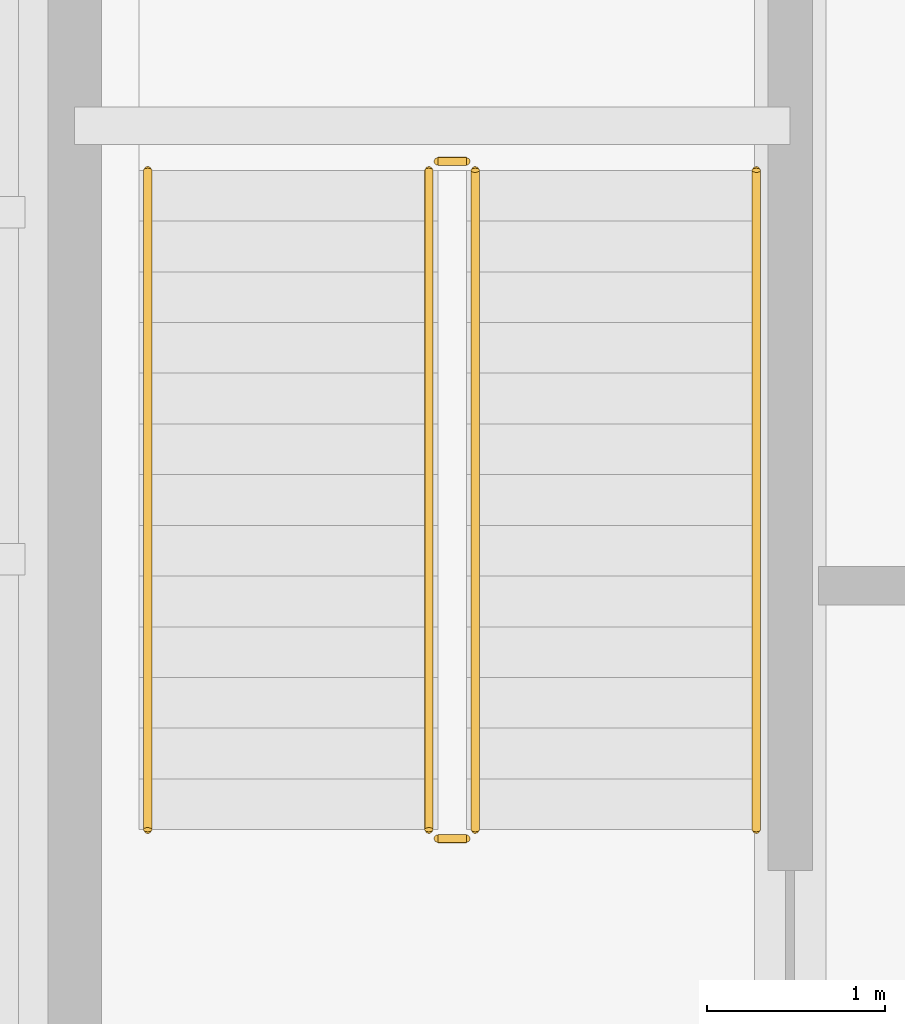
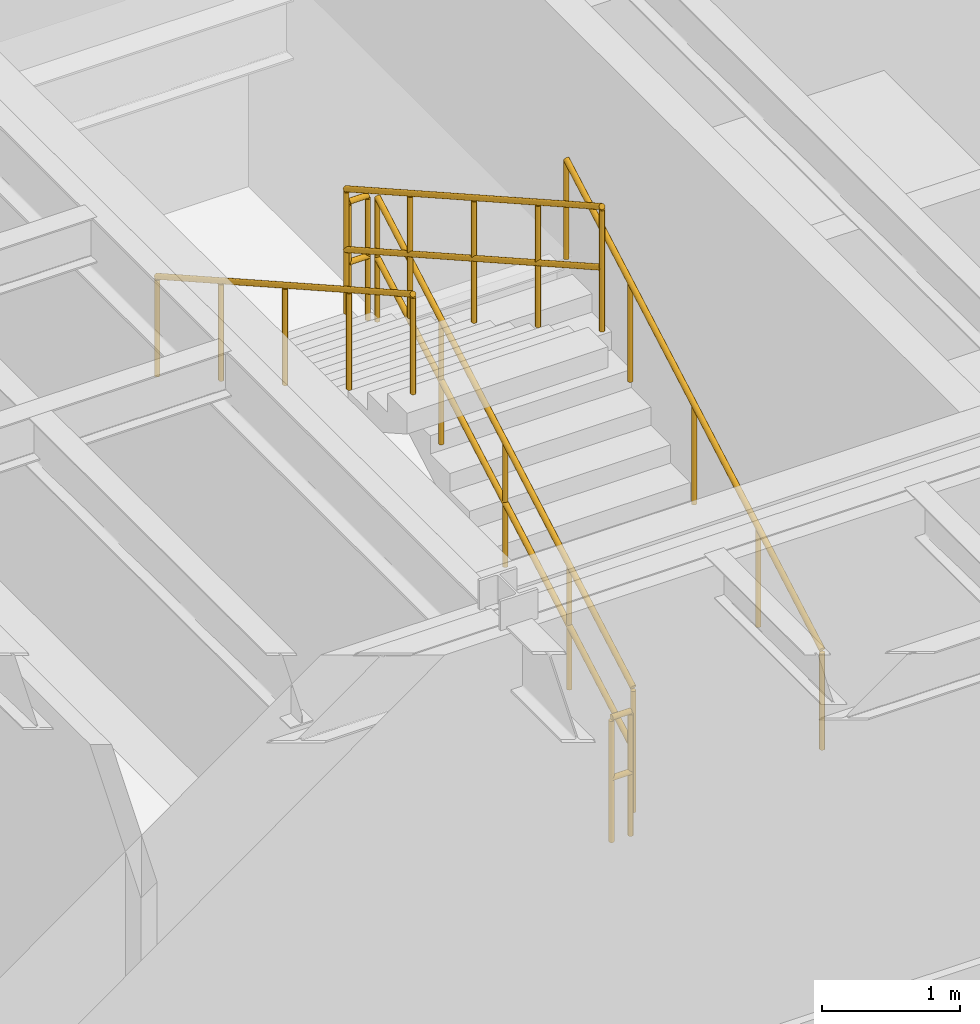
# One storey, part 39 of 41: 6 railings.
"""IFC4 building model written with IfcOpenShell, lengths in metres."""

from ifc_helpers import new_model, si_unit, direction, frame, origin, origin_2d, place, context, subcontext, project, spatial, circle, extrude, material, layer, layer_set, type_object, element, save


model = new_model("IFC4")

# Units and contexts
model_context = context("Model", 3, precision=1e-05, world=origin(), true_north=direction((0.0, 1.0)))
body_context = subcontext(model_context, "Body", "Model", "MODEL_VIEW")
ifc_project = project(units=[si_unit("LENGTHUNIT", "METRE"), si_unit("AREAUNIT", "SQUARE_METRE"), si_unit("VOLUMEUNIT", "CUBIC_METRE"), si_unit("PLANEANGLEUNIT", "RADIAN"), si_unit("MASSUNIT", "GRAM", prefix="KILO")], contexts=[model_context])

# Site, building, storey
site_placement = place(None, origin())
site = spatial("IfcSite", under=ifc_project, at=site_placement, CompositionType="ELEMENT")
building_placement = place(site_placement, origin())
building = spatial("IfcBuilding", under=site, at=building_placement, Name="Selat Folded Stagehouse", CompositionType="ELEMENT")
storey_placement = place(building_placement, frame((0.0, 0.0, -4.5)))
storey = spatial("IfcBuildingStorey", under=building, at=storey_placement, Name="B1", CompositionType="ELEMENT", Elevation=-4.5)

# Railings
ifc_material_1 = material(Name="Bronze-anodised steel balustrade", Category="steel")
ifc_layer_1 = layer(ifc_material_1, 0.06494140625)
ifc_layer_set_1 = layer_set([ifc_layer_1], Name="Bronze-anodised steel balustrade")
railing_type_1 = type_object("IfcRailingType", Name="RLG-BAL-1120", PredefinedType="BALUSTRADE", material=ifc_layer_set_1)
railing_1_placement = place(storey_placement, frame((78.050048828125, 8.22998046875, 0.16064453125)))
element("IfcRailing", 1, at=railing_1_placement, inside=storey, type_object=railing_type_1, Name="B1 ST-03 stair well guard 1", PredefinedType="BALUSTRADE", context=body_context, shape_type="SweptSolid", body=[
    extrude(circle(Radius=0.02392578125, at=origin_2d()), frame((0.0, 0.0, 1.09619140625), z_axis=(0.0, 0.871047735535, 0.491198373795), x_axis=(-1.0, 0.0, 0.0)), (0.0, 0.0, 1.0), 4.253662109375),
    extrude(circle(Radius=0.02392578125, at=origin_2d()), frame((0.0, 0.0, 0.56005859375), z_axis=(0.0, 0.871047735535, 0.491198373795), x_axis=(-1.0, 0.0, 0.0)), (0.0, 0.0, 1.0), 4.253662109375),
    extrude(circle(Radius=0.02099609375, at=origin_2d()), origin(), (0.0, 0.0, 1.0), 1.072021484375),
    extrude(circle(Radius=0.02099609375, at=origin_2d()), frame((0.0, 0.92626953125, 0.5224609375)), (0.0, 0.0, 1.0), 1.072021484375),
    extrude(circle(Radius=0.02099609375, at=origin_2d()), frame((0.0, 1.8525390625, 1.044677734375)), (0.0, 0.0, 1.0), 1.072021484375),
    extrude(circle(Radius=0.02099609375, at=origin_2d()), frame((0.0, 2.77880859375, 1.56689453125)), (0.0, 0.0, 1.0), 1.072021484375),
    extrude(circle(Radius=0.02099609375, at=origin_2d()), frame((0.0, 3.705078125, 2.08935546875)), (0.0, 0.0, 1.0), 1.072021484375),
])
railing_2_placement = place(storey_placement, frame((78.0, 11.985107421875, 2.25)))
element("IfcRailing", 2, at=railing_2_placement, inside=storey, type_object=railing_type_1, Name="B1 ST-03 stair well guard 2", PredefinedType="BALUSTRADE", context=body_context, shape_type="SweptSolid", body=[
    extrude(circle(Radius=0.02392578125, at=origin_2d()), frame((0.0, 0.0, 1.09619140625), z_axis=(-1.0, 0.0, 0.0), x_axis=(0.0, -1.0, 0.0)), (0.0, 0.0, 1.0), 0.159912109375),
    extrude(circle(Radius=0.02392578125, at=origin_2d()), frame((0.0, 0.0, 0.56005859375), z_axis=(-1.0, 0.0, 0.0), x_axis=(0.0, -1.0, 0.0)), (0.0, 0.0, 1.0), 0.159912109375),
    extrude(circle(Radius=0.02099609375, at=origin_2d()), origin(), (0.0, 0.0, 1.0), 1.072021484375),
    extrude(circle(Radius=0.02099609375, at=origin_2d()), frame((-0.159912109375, 0.0, 0.0)), (0.0, 0.0, 1.0), 1.072021484375),
])
railing_3_placement = place(storey_placement, frame((77.7900390625, 11.93505859375, 2.41064453125)))
element("IfcRailing", 3, at=railing_3_placement, inside=storey, type_object=railing_type_1, Name="B1 ST-03 stair well guard 3", PredefinedType="BALUSTRADE", context=body_context, shape_type="SweptSolid", body=[
    extrude(circle(Radius=0.02392578125, at=origin_2d()), frame((0.0, 0.0, 1.09619140625), z_axis=(0.0, -0.871047735535, 0.491198373795), x_axis=(1.0, 0.0, 0.0)), (0.0, 0.0, 1.0), 4.253662109375),
    extrude(circle(Radius=0.02392578125, at=origin_2d()), frame((0.0, 0.0, 0.56005859375), z_axis=(0.0, -0.871047735535, 0.491198373795), x_axis=(1.0, 0.0, 0.0)), (0.0, 0.0, 1.0), 4.253662109375),
    extrude(circle(Radius=0.02099609375, at=origin_2d()), origin(), (0.0, 0.0, 1.0), 1.072021484375),
    extrude(circle(Radius=0.02099609375, at=origin_2d()), frame((0.0, -0.92626953125, 0.5224609375)), (0.0, 0.0, 1.0), 1.072021484375),
    extrude(circle(Radius=0.02099609375, at=origin_2d()), frame((0.0, -1.8525390625, 1.044677734375)), (0.0, 0.0, 1.0), 1.072021484375),
    extrude(circle(Radius=0.02099609375, at=origin_2d()), frame((0.0, -2.77880859375, 1.56689453125)), (0.0, 0.0, 1.0), 1.072021484375),
    extrude(circle(Radius=0.02099609375, at=origin_2d()), frame((0.0, -3.705078125, 2.08935546875)), (0.0, 0.0, 1.0), 1.072021484375),
])
railing_4_placement = place(storey_placement, frame((78.0, 8.179931640625, 0.0)))
element("IfcRailing", 4, at=railing_4_placement, inside=storey, type_object=railing_type_1, Name="B1 ST-03 stair well guard 4", PredefinedType="BALUSTRADE", context=body_context, shape_type="SweptSolid", body=[
    extrude(circle(Radius=0.02392578125, at=origin_2d()), frame((0.0, 0.0, 1.09619140625), z_axis=(-1.0, 0.0, 0.0), x_axis=(0.0, -1.0, 0.0)), (0.0, 0.0, 1.0), 0.159912109375),
    extrude(circle(Radius=0.02392578125, at=origin_2d()), frame((0.0, 0.0, 0.56005859375), z_axis=(-1.0, 0.0, 0.0), x_axis=(0.0, -1.0, 0.0)), (0.0, 0.0, 1.0), 0.159912109375),
    extrude(circle(Radius=0.02099609375, at=origin_2d()), origin(), (0.0, 0.0, 1.0), 1.072021484375),
    extrude(circle(Radius=0.02099609375, at=origin_2d()), frame((-0.159912109375, 0.0, 0.0)), (0.0, 0.0, 1.0), 1.072021484375),
])
ifc_material_2 = material(Name="Brushed stainless steel 1.4301", Category="steel")
ifc_layer_2 = layer(ifc_material_2, 0.048095703125)
ifc_layer_set_2 = layer_set([ifc_layer_2], Name="Brushed stainless steel 1.4301")
railing_type_2 = type_object("IfcRailingType", Name="RLG-HANDRAIL-900", PredefinedType="HANDRAIL", material=ifc_layer_set_2)
railing_5_placement = place(storey_placement, frame((79.6298828125, 8.22998046875, 0.16064453125)))
element("IfcRailing", 5, at=railing_5_placement, inside=storey, type_object=railing_type_2, Name="B1 ST-03 wall handrail 1", PredefinedType="HANDRAIL", context=body_context, shape_type="SweptSolid", body=[
    extrude(circle(Radius=0.02392578125, at=origin_2d()), frame((0.0, 0.0, 0.8759765625), z_axis=(0.0, 0.871047735535, 0.491198373795), x_axis=(-1.0, 0.0, 0.0)), (0.0, 0.0, 1.0), 4.253662109375),
    extrude(circle(Radius=0.02099609375, at=origin_2d()), origin(), (0.0, 0.0, 1.0), 0.851806640625),
    extrude(circle(Radius=0.02099609375, at=origin_2d()), frame((0.0, 0.92626953125, 0.5224609375)), (0.0, 0.0, 1.0), 0.851806640625),
    extrude(circle(Radius=0.02099609375, at=origin_2d()), frame((0.0, 1.8525390625, 1.044677734375)), (0.0, 0.0, 1.0), 0.851806640625),
    extrude(circle(Radius=0.02099609375, at=origin_2d()), frame((0.0, 2.77880859375, 1.56689453125)), (0.0, 0.0, 1.0), 0.851806640625),
    extrude(circle(Radius=0.02099609375, at=origin_2d()), frame((0.0, 3.705078125, 2.08935546875)), (0.0, 0.0, 1.0), 0.851806640625),
])
railing_6_placement = place(storey_placement, frame((76.2099609375, 11.93505859375, 2.41064453125)))
element("IfcRailing", 6, at=railing_6_placement, inside=storey, type_object=railing_type_2, Name="B1 ST-03 wall handrail 2", PredefinedType="HANDRAIL", context=body_context, shape_type="SweptSolid", body=[
    extrude(circle(Radius=0.02392578125, at=origin_2d()), frame((0.0, 0.0, 0.8759765625), z_axis=(0.0, -0.871047735535, 0.491198373795), x_axis=(1.0, 0.0, 0.0)), (0.0, 0.0, 1.0), 4.253662109375),
    extrude(circle(Radius=0.02099609375, at=origin_2d()), origin(), (0.0, 0.0, 1.0), 0.851806640625),
    extrude(circle(Radius=0.02099609375, at=origin_2d()), frame((0.0, -0.92626953125, 0.5224609375)), (0.0, 0.0, 1.0), 0.851806640625),
    extrude(circle(Radius=0.02099609375, at=origin_2d()), frame((0.0, -1.8525390625, 1.044677734375)), (0.0, 0.0, 1.0), 0.851806640625),
    extrude(circle(Radius=0.02099609375, at=origin_2d()), frame((0.0, -2.77880859375, 1.56689453125)), (0.0, 0.0, 1.0), 0.851806640625),
    extrude(circle(Radius=0.02099609375, at=origin_2d()), frame((0.0, -3.705078125, 2.08935546875)), (0.0, 0.0, 1.0), 0.851806640625),
])

save(model, "model.ifc")
